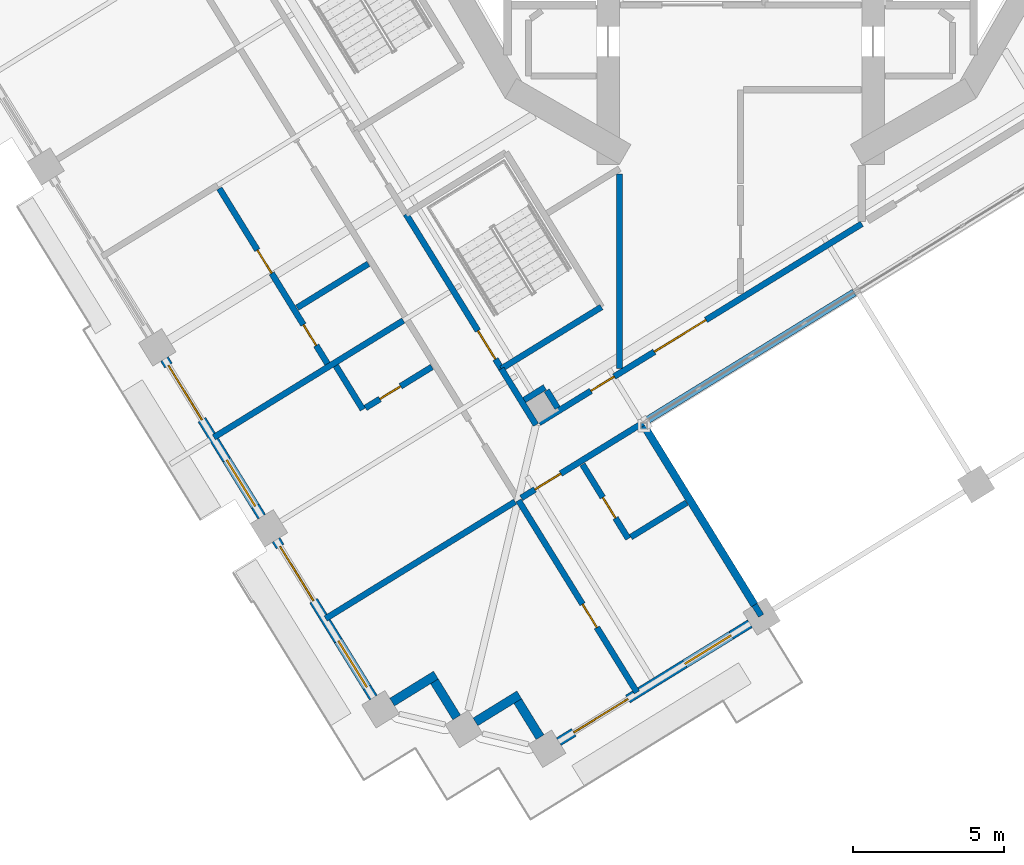
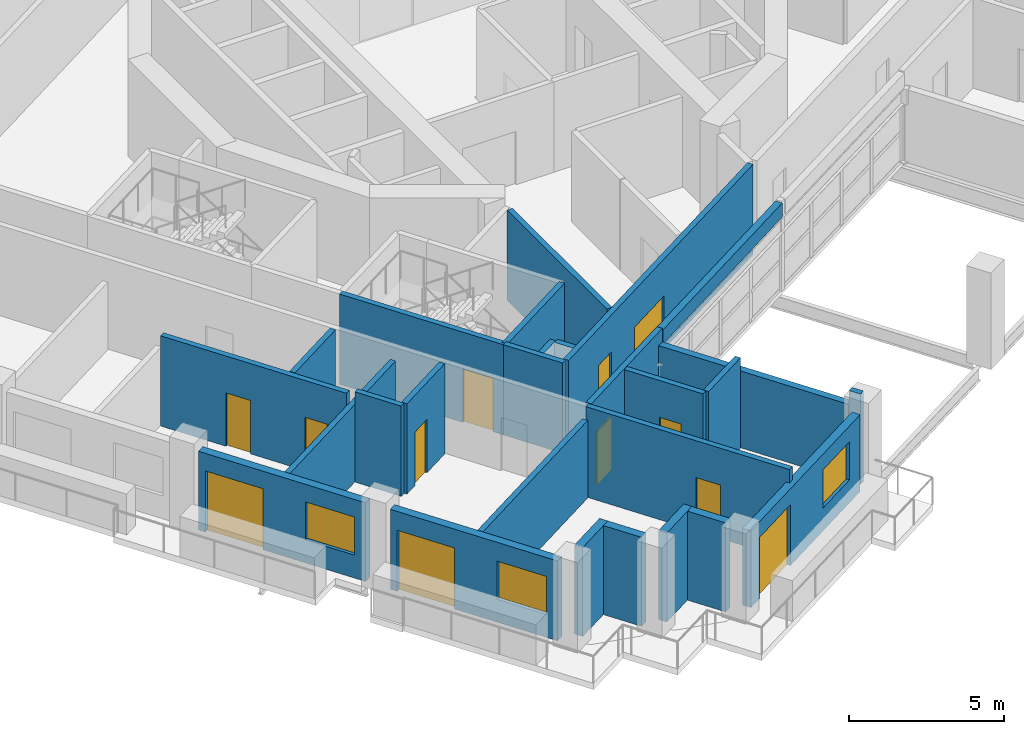
# One storey, part 8 of 22: 27 walls, 12 doors, 3 windows, 15 openings.
"""IFC4 building model written with IfcOpenShell, lengths in metres."""

from ifc_helpers import new_model, si_unit, direction, frame, frame_2d, origin, place, context, subcontext, project, spatial, rectangle, extrude, material, layer, layer_set, type_object, element, fill, save


model = new_model("IFC4")

# Units and contexts
model_context = context("Model", 3, precision=1e-05, world=origin(), true_north=direction((0.0, 1.0)))
body_context = subcontext(model_context, "Body", "Model", "MODEL_VIEW")
ifc_project = project(units=[si_unit("LENGTHUNIT", "METRE"), si_unit("AREAUNIT", "SQUARE_METRE"), si_unit("VOLUMEUNIT", "CUBIC_METRE"), si_unit("PLANEANGLEUNIT", "RADIAN"), si_unit("MASSUNIT", "GRAM", prefix="KILO")], contexts=[model_context])

# Site, building, storey
site_placement = place(None, origin())
site = spatial("IfcSite", under=ifc_project, at=site_placement, CompositionType="ELEMENT")
building_placement = place(site_placement, origin())
building = spatial("IfcBuilding", under=site, at=building_placement, Name="Cantera Rosa Tower", CompositionType="ELEMENT")
storey_placement = place(building_placement, frame((0.0, 0.0, 174.199951171875)))
storey = spatial("IfcBuildingStorey", under=building, at=storey_placement, Name="L38", CompositionType="ELEMENT", Elevation=174.199951171875)

# Wall
ifc_material_1 = material(Name="Gypsum board partition")
ifc_layer_1 = layer(ifc_material_1, 0.199951171875)
ifc_layer_set_1 = layer_set([ifc_layer_1], Name="CORRIDOR WALL 200 H3550")
wall_type_1 = type_object("IfcWallType", Name="CORRIDOR WALL 200 H3550", PredefinedType="PARTITIONING", material=ifc_layer_set_1)
wall_1_placement = place(storey_placement, frame((-7.9033203125, -16.7119140625, 0.0), z_axis=(0.0, 0.0, 1.0), x_axis=(0.525036414636, -0.851079763187, 0.0)))
element("IfcWall", 1, at=wall_1_placement, inside=storey, type_object=wall_type_1, Name="CORRIDOR WALL L38-026", PredefinedType="PARTITIONING", context=body_context, shape_type="SweptSolid", body=[
    extrude(rectangle(XDim=2.17529296875, YDim=0.199951171875, at=frame_2d((1.087646484375, 0.0))), origin(), (0.0, 0.0, 1.0), 3.550048828125),
])

# Wall, opening, door
wall_2_placement = place(storey_placement, frame((-7.246337890625, -20.977294921875, 0.0), z_axis=(0.0, 0.0, 1.0), x_axis=(0.851124523941, 0.524963850894, 0.0)))
wall_2 = element("IfcWall", 2, at=wall_2_placement, inside=storey, type_object=wall_type_1, Name="CORRIDOR WALL L38-035", PredefinedType="PARTITIONING", context=body_context, shape_type="SweptSolid", body=[
    extrude(rectangle(XDim=4.824951171875, YDim=0.199951171875, at=frame_2d((2.41259765625, 0.0))), origin(), (0.0, 0.0, 1.0), 3.550048828125),
])
opening_1_placement = place(wall_2_placement, frame((0.530029296875, 0.0, 0.0)))
opening_1 = element("IfcOpeningElement", 3, at=opening_1_placement, cuts=wall_2, Name="Opening L38-052", PredefinedType="OPENING", context=body_context, shape_type="SweptSolid", body=[
    extrude(rectangle(XDim=1.0, YDim=2.10009765625, at=frame_2d((0.5, 1.050048828125))), frame((0.0, 0.10986328125, 0.0), z_axis=(0.0, -1.0, 0.0), x_axis=(1.0, 0.0, 0.0)), (0.0, 0.0, 1.0), 0.219970703125),
])
ifc_material_2 = material(Name="Timber door leaf", Category="wood")
door_type_1 = type_object("IfcDoorType", Name="ENTRANCE DOOR 1000x2100", OperationType="NOTDEFINED", PredefinedType="DOOR", material=ifc_material_2)
door_1_placement = place(opening_1_placement, origin())
door_1 = element("IfcDoor", 4, at=door_1_placement, inside=storey, type_object=door_type_1, Name="DOOR L38-052", OperationType="NOTDEFINED", OverallHeight=2.10009765625, OverallWidth=1.0, PredefinedType="DOOR", context=body_context, shape_type="SweptSolid", body=[
    extrude(rectangle(XDim=1.0, YDim=2.10009765625, at=frame_2d((0.5, 1.050048828125))), frame((0.0, 0.02490234375, 0.0), z_axis=(0.0, -1.0, 0.0), x_axis=(1.0, 0.0, 0.0)), (0.0, 0.0, 1.0), 0.050048828125),
])
fill(opening_1, door_1)

# Wall, openings, doors
wall_3_placement = place(storey_placement, frame((-6.6591796875, -18.500244140625, 0.0), z_axis=(0.0, 0.0, 1.0), x_axis=(0.851115705413, 0.524978148116, 0.0)))
wall_3 = element("IfcWall", 5, at=wall_3_placement, inside=storey, type_object=wall_type_1, Name="CORRIDOR WALL L38-042", PredefinedType="PARTITIONING", context=body_context, shape_type="SweptSolid", body=[
    extrude(rectangle(XDim=12.523681640625, YDim=0.199951171875, at=frame_2d((6.26171875, 0.0))), origin(), (0.0, 0.0, 1.0), 3.550048828125),
])
opening_2_placement = place(wall_3_placement, frame((2.01513671875, 0.0, 0.0)))
opening_2 = element("IfcOpeningElement", 6, at=opening_2_placement, cuts=wall_3, Name="Opening L38-008", PredefinedType="OPENING", context=body_context, shape_type="SweptSolid", body=[
    extrude(rectangle(XDim=0.89990234375, YDim=2.10009765625, at=frame_2d((0.449951171875, 1.050048828125))), frame((0.0, 0.10986328125, 0.0), z_axis=(0.0, -1.0, 0.0), x_axis=(1.0, 0.0, 0.0)), (0.0, 0.0, 1.0), 0.219970703125),
])
opening_3_placement = place(wall_3_placement, frame((4.47412109375, 0.0, 0.0)))
opening_3 = element("IfcOpeningElement", 7, at=opening_3_placement, cuts=wall_3, Name="Opening L38-013", PredefinedType="OPENING", context=body_context, shape_type="SweptSolid", body=[
    extrude(rectangle(XDim=2.0, YDim=2.10009765625, at=frame_2d((1.0, 1.050048828125))), frame((0.0, 0.10986328125, 0.0), z_axis=(0.0, -1.0, 0.0), x_axis=(1.0, 0.0, 0.0)), (0.0, 0.0, 1.0), 0.219970703125),
])
ifc_material_3 = material(Name="Steel S355J2 (EN 10025-2)", Category="steel")
door_type_2 = type_object("IfcDoorType", Name="LOBBY SCREEN DOOR 2000x2100", OperationType="NOTDEFINED", PredefinedType="DOOR", material=ifc_material_3)
door_2_placement = place(opening_3_placement, origin())
door_2 = element("IfcDoor", 8, at=door_2_placement, inside=storey, type_object=door_type_2, Name="DOOR L38-013", OperationType="NOTDEFINED", OverallHeight=2.10009765625, OverallWidth=2.0, PredefinedType="DOOR", context=body_context, shape_type="SweptSolid", body=[
    extrude(rectangle(XDim=2.0, YDim=2.10009765625, at=frame_2d((1.0, 1.050048828125))), frame((0.0, 0.02490234375, 0.0), z_axis=(0.0, -1.0, 0.0), x_axis=(1.0, 0.0, 0.0)), (0.0, 0.0, 1.0), 0.050048828125),
])
fill(opening_3, door_2)
ifc_material_4 = material(Name="Timber door leaf", Category="wood")
door_type_3 = type_object("IfcDoorType", Name="SERVICE DOOR 900x2100", OperationType="NOTDEFINED", PredefinedType="DOOR", material=ifc_material_4)
door_3_placement = place(opening_2_placement, origin())
door_3 = element("IfcDoor", 9, at=door_3_placement, inside=storey, type_object=door_type_3, Name="DOOR L38-008", OperationType="NOTDEFINED", OverallHeight=2.10009765625, OverallWidth=0.89990234375, PredefinedType="DOOR", context=body_context, shape_type="SweptSolid", body=[
    extrude(rectangle(XDim=0.89990234375, YDim=2.10009765625, at=frame_2d((0.449951171875, 1.050048828125))), frame((0.0, 0.02490234375, 0.0), z_axis=(0.0, -1.0, 0.0), x_axis=(1.0, 0.0, 0.0)), (0.0, 0.0, 1.0), 0.050048828125),
])
fill(opening_2, door_3)

# Walls
wall_4_placement = place(storey_placement, frame((-4.0, -10.274169921875, 0.0), z_axis=(0.0, 0.0, 1.0), x_axis=(0.0, -1.0, 0.0)))
element("IfcWall", 10, at=wall_4_placement, inside=storey, type_object=wall_type_1, Name="CORRIDOR WALL L38-053", PredefinedType="PARTITIONING", context=body_context, shape_type="SweptSolid", body=[
    extrude(rectangle(XDim=6.426025390625, YDim=0.199951171875, at=frame_2d((3.212890625, 0.0))), origin(), (0.0, 0.0, 1.0), 3.550048828125),
])
ifc_material_5 = material(Name="Hollow clay masonry with cantera stone cladding", Category="masonry")
ifc_layer_2 = layer(ifc_material_5, 0.300048828125)
ifc_layer_set_2 = layer_set([ifc_layer_2], Name="EW-LOGGIA 300")
wall_type_2 = type_object("IfcWallType", Name="EW-LOGGIA 300", PredefinedType="SOLIDWALL", material=ifc_layer_set_2)
wall_5_placement = place(storey_placement, frame((-11.51123046875, -27.72021484375, 0.0), z_axis=(0.0, 0.0, 1.0), x_axis=(0.851130227454, 0.524954603669, 0.0)))
element("IfcWall", 11, at=wall_5_placement, inside=storey, type_object=wall_type_2, Name="EN-L38-W20a", PredefinedType="SOLIDWALL", context=body_context, shape_type="SweptSolid", body=[
    extrude(rectangle(XDim=1.699951171875, YDim=0.300048828125, at=frame_2d((0.85009765625, 0.0))), origin(), (0.0, 0.0, 1.0), 3.5),
])
wall_6_placement = place(storey_placement, frame((-10.11328125, -27.0341796875, 0.0), z_axis=(0.0, 0.0, 1.0), x_axis=(0.524895019961, -0.85116697423, 0.0)))
element("IfcWall", 12, at=wall_6_placement, inside=storey, type_object=wall_type_2, Name="EN-L38-W20b", PredefinedType="SOLIDWALL", context=body_context, shape_type="SweptSolid", body=[
    extrude(rectangle(XDim=1.39990234375, YDim=0.300048828125, at=frame_2d((0.699951171875, 0.0))), origin(), (0.0, 0.0, 1.0), 3.5),
])
wall_7_placement = place(storey_placement, frame((-8.75927734375, -28.37255859375, 0.0), z_axis=(0.0, 0.0, 1.0), x_axis=(0.851105638601, 0.524994468487, 0.0)))
element("IfcWall", 13, at=wall_7_placement, inside=storey, type_object=wall_type_2, Name="EN-L38-W21a", PredefinedType="SOLIDWALL", context=body_context, shape_type="SweptSolid", body=[
    extrude(rectangle(XDim=1.7001953125, YDim=0.300048828125, at=frame_2d((0.85009765625, 0.0))), origin(), (0.0, 0.0, 1.0), 3.5),
])
wall_8_placement = place(storey_placement, frame((-7.361083984375, -27.6865234375, 0.0), z_axis=(0.0, 0.0, 1.0), x_axis=(0.524895019961, -0.85116697423, 0.0)))
element("IfcWall", 14, at=wall_8_placement, inside=storey, type_object=wall_type_2, Name="EN-L38-W21b", PredefinedType="SOLIDWALL", context=body_context, shape_type="SweptSolid", body=[
    extrude(rectangle(XDim=1.39990234375, YDim=0.300048828125, at=frame_2d((0.699951171875, 0.0))), origin(), (0.0, 0.0, 1.0), 3.5),
])

# Wall, openings, window, door
ifc_material_6 = material(Name="Hollow clay masonry with cantera stone cladding", Category="masonry")
ifc_layer_3 = layer(ifc_material_6, 0.300048828125)
ifc_layer_set_3 = layer_set([ifc_layer_3], Name="EW-LOGGIA 300 H3020")
wall_type_3 = type_object("IfcWallType", Name="EW-LOGGIA 300 H3020", PredefinedType="SOLIDWALL", material=ifc_layer_set_3)
wall_9_placement = place(storey_placement, frame((-6.007080078125, -29.02490234375, 0.0), z_axis=(0.0, 0.0, 1.0), x_axis=(0.851111085575, 0.524985637909, 0.0)))
wall_9 = element("IfcWall", 15, at=wall_9_placement, inside=storey, type_object=wall_type_3, Name="EN-L38-W22", PredefinedType="SOLIDWALL", context=body_context, shape_type="SweptSolid", body=[
    extrude(rectangle(XDim=7.420166015625, YDim=0.300048828125, at=frame_2d((3.7099609375, 0.0))), origin(), (0.0, 0.0, 1.0), 3.02001953125),
])
opening_4_placement = place(wall_9_placement, frame((0.580078125, 0.0, 0.0)))
opening_4 = element("IfcOpeningElement", 16, at=opening_4_placement, cuts=wall_9, Name="Opening L38-TD31", PredefinedType="OPENING", context=body_context, shape_type="SweptSolid", body=[
    extrude(rectangle(XDim=2.10009765625, YDim=2.39990234375, at=frame_2d((1.050048828125, 1.199951171875))), frame((0.0, 0.159912109375, 0.0), z_axis=(0.0, -1.0, 0.0), x_axis=(1.0, 0.0, 0.0)), (0.0, 0.0, 1.0), 0.320068359375),
])
opening_5_placement = place(wall_9_placement, frame((4.889892578125, 0.0, 0.89990234375)))
opening_5 = element("IfcOpeningElement", 17, at=opening_5_placement, cuts=wall_9, Name="Opening L38-W32", PredefinedType="OPENING", context=body_context, shape_type="SweptSolid", body=[
    extrude(rectangle(XDim=1.800048828125, YDim=1.5, at=frame_2d((0.89990234375, 0.75))), frame((0.0, 0.159912109375, 0.0), z_axis=(0.0, -1.0, 0.0), x_axis=(1.0, 0.0, 0.0)), (0.0, 0.0, 1.0), 0.320068359375),
])
ifc_material_7 = material(Name="Aluminium frame with clear glass", Category="aluminium")
window_type = type_object("IfcWindowType", Name="Hotel room window 1800x1500", PartitioningType="DOUBLE_PANEL_VERTICAL", PredefinedType="WINDOW", material=ifc_material_7)
window_1_placement = place(opening_5_placement, origin())
window_1 = element("IfcWindow", 18, at=window_1_placement, inside=storey, type_object=window_type, Name="WINDOW L38-W32", OverallHeight=1.5, OverallWidth=1.800048828125, PartitioningType="SINGLE_PANEL", PredefinedType="WINDOW", context=body_context, shape_type="SweptSolid", body=[
    extrude(rectangle(XDim=1.800048828125, YDim=1.5, at=frame_2d((0.89990234375, 0.75))), frame((0.0, 0.030029296875, 0.0), z_axis=(0.0, -1.0, 0.0), x_axis=(1.0, 0.0, 0.0)), (0.0, 0.0, 1.0), 0.06005859375),
])
fill(opening_5, window_1)
ifc_material_8 = material(Name="Aluminium frame with clear glass", Category="aluminium")
door_type_4 = type_object("IfcDoorType", Name="TD-H 2100x2400", OperationType="NOTDEFINED", PredefinedType="DOOR", material=ifc_material_8)
door_4_placement = place(opening_4_placement, origin())
door_4 = element("IfcDoor", 19, at=door_4_placement, inside=storey, type_object=door_type_4, Name="LOGGIA DOOR L38-TD31", OperationType="SLIDING_TO_LEFT", OverallHeight=2.39990234375, OverallWidth=2.10009765625, PredefinedType="DOOR", context=body_context, shape_type="SweptSolid", body=[
    extrude(rectangle(XDim=2.10009765625, YDim=2.39990234375, at=frame_2d((1.050048828125, 1.199951171875))), frame((0.0, 0.02490234375, 0.0), z_axis=(0.0, -1.0, 0.0), x_axis=(1.0, 0.0, 0.0)), (0.0, 0.0, 1.0), 0.050048828125),
])
fill(opening_4, door_4)

ifc_material_9 = material(Name="Hollow clay masonry with cantera stone cladding", Category="masonry")
ifc_layer_4 = layer(ifc_material_9, 0.300048828125)
ifc_layer_set_4 = layer_set([ifc_layer_4], Name="EW-LOGGIA 300 H3090")
wall_type_4 = type_object("IfcWallType", Name="EW-LOGGIA 300 H3090", PredefinedType="SOLIDWALL", material=ifc_layer_set_4)
wall_10_placement = place(storey_placement, frame((-19.02880859375, -16.389892578125, 0.0), z_axis=(0.0, 0.0, 1.0), x_axis=(0.524987447654, -0.851109969279, 0.0)))
wall_10 = element("IfcWall", 20, at=wall_10_placement, inside=storey, type_object=wall_type_4, Name="EN-L38-W18", PredefinedType="SOLIDWALL", context=body_context, shape_type="SweptSolid", body=[
    extrude(rectangle(XDim=6.119873046875, YDim=0.300048828125, at=frame_2d((3.06005859375, 0.0))), origin(), (0.0, 0.0, 1.0), 3.090087890625),
])
opening_6_placement = place(wall_10_placement, frame((0.2548828125, 0.0, 0.0)))
opening_6 = element("IfcOpeningElement", 21, at=opening_6_placement, cuts=wall_10, Name="Opening L38-TD27", PredefinedType="OPENING", context=body_context, shape_type="SweptSolid", body=[
    extrude(rectangle(XDim=2.10009765625, YDim=2.39990234375, at=frame_2d((1.050048828125, 1.199951171875))), frame((0.0, 0.159912109375, 0.0), z_axis=(0.0, -1.0, 0.0), x_axis=(1.0, 0.0, 0.0)), (0.0, 0.0, 1.0), 0.320068359375),
])
opening_7_placement = place(wall_10_placement, frame((3.9150390625, 0.0, 0.89990234375)))
opening_7 = element("IfcOpeningElement", 22, at=opening_7_placement, cuts=wall_10, Name="Opening L38-W28", PredefinedType="OPENING", context=body_context, shape_type="SweptSolid", body=[
    extrude(rectangle(XDim=1.800048828125, YDim=1.5, at=frame_2d((0.89990234375, 0.75))), frame((0.0, 0.159912109375, 0.0), z_axis=(0.0, -1.0, 0.0), x_axis=(1.0, 0.0, 0.0)), (0.0, 0.0, 1.0), 0.320068359375),
])
window_2_placement = place(opening_7_placement, origin())
window_2 = element("IfcWindow", 23, at=window_2_placement, inside=storey, type_object=window_type, Name="WINDOW L38-W28", OverallHeight=1.5, OverallWidth=1.800048828125, PartitioningType="SINGLE_PANEL", PredefinedType="WINDOW", context=body_context, shape_type="SweptSolid", body=[
    extrude(rectangle(XDim=1.800048828125, YDim=1.5, at=frame_2d((0.89990234375, 0.75))), frame((0.0, 0.030029296875, 0.0), z_axis=(0.0, -1.0, 0.0), x_axis=(1.0, 0.0, 0.0)), (0.0, 0.0, 1.0), 0.06005859375),
])
fill(opening_7, window_2)
door_5_placement = place(opening_6_placement, origin())
door_5 = element("IfcDoor", 24, at=door_5_placement, inside=storey, type_object=door_type_4, Name="LOGGIA DOOR L38-TD27", OperationType="SLIDING_TO_LEFT", OverallHeight=2.39990234375, OverallWidth=2.10009765625, PredefinedType="DOOR", context=body_context, shape_type="SweptSolid", body=[
    extrude(rectangle(XDim=2.10009765625, YDim=2.39990234375, at=frame_2d((1.050048828125, 1.199951171875))), frame((0.0, 0.02490234375, 0.0), z_axis=(0.0, -1.0, 0.0), x_axis=(1.0, 0.0, 0.0)), (0.0, 0.0, 1.0), 0.050048828125),
])
fill(opening_6, door_5)

ifc_material_10 = material(Name="Hollow clay masonry with cantera stone cladding", Category="masonry")
ifc_layer_5 = layer(ifc_material_10, 0.300048828125)
ifc_layer_set_5 = layer_set([ifc_layer_5], Name="EW-LOGGIA 300 H3140")
wall_type_5 = type_object("IfcWallType", Name="EW-LOGGIA 300 H3140", PredefinedType="SOLIDWALL", material=ifc_layer_set_5)
wall_11_placement = place(storey_placement, frame((-15.343505859375, -22.36474609375, 0.0), z_axis=(0.0, 0.0, 1.0), x_axis=(0.524987447654, -0.851109969279, 0.0)))
wall_11 = element("IfcWall", 25, at=wall_11_placement, inside=storey, type_object=wall_type_5, Name="EN-L38-W19", PredefinedType="SOLIDWALL", context=body_context, shape_type="SweptSolid", body=[
    extrude(rectangle(XDim=6.119873046875, YDim=0.300048828125, at=frame_2d((3.06005859375, 0.0))), origin(), (0.0, 0.0, 1.0), 3.14013671875),
])
opening_8_placement = place(wall_11_placement, frame((0.2548828125, 0.0, 0.0)))
opening_8 = element("IfcOpeningElement", 26, at=opening_8_placement, cuts=wall_11, Name="Opening L38-TD29", PredefinedType="OPENING", context=body_context, shape_type="SweptSolid", body=[
    extrude(rectangle(XDim=2.10009765625, YDim=2.39990234375, at=frame_2d((1.050048828125, 1.199951171875))), frame((0.0, 0.159912109375, 0.0), z_axis=(0.0, -1.0, 0.0), x_axis=(1.0, 0.0, 0.0)), (0.0, 0.0, 1.0), 0.320068359375),
])
opening_9_placement = place(wall_11_placement, frame((3.9150390625, 0.0, 0.89990234375)))
opening_9 = element("IfcOpeningElement", 27, at=opening_9_placement, cuts=wall_11, Name="Opening L38-W30", PredefinedType="OPENING", context=body_context, shape_type="SweptSolid", body=[
    extrude(rectangle(XDim=1.800048828125, YDim=1.5, at=frame_2d((0.89990234375, 0.75))), frame((0.0, 0.159912109375, 0.0), z_axis=(0.0, -1.0, 0.0), x_axis=(1.0, 0.0, 0.0)), (0.0, 0.0, 1.0), 0.320068359375),
])
window_3_placement = place(opening_9_placement, origin())
window_3 = element("IfcWindow", 28, at=window_3_placement, inside=storey, type_object=window_type, Name="WINDOW L38-W30", OverallHeight=1.5, OverallWidth=1.800048828125, PartitioningType="SINGLE_PANEL", PredefinedType="WINDOW", context=body_context, shape_type="SweptSolid", body=[
    extrude(rectangle(XDim=1.800048828125, YDim=1.5, at=frame_2d((0.89990234375, 0.75))), frame((0.0, 0.030029296875, 0.0), z_axis=(0.0, -1.0, 0.0), x_axis=(1.0, 0.0, 0.0)), (0.0, 0.0, 1.0), 0.06005859375),
])
fill(opening_9, window_3)
door_6_placement = place(opening_8_placement, origin())
door_6 = element("IfcDoor", 29, at=door_6_placement, inside=storey, type_object=door_type_4, Name="LOGGIA DOOR L38-TD29", OperationType="SLIDING_TO_LEFT", OverallHeight=2.39990234375, OverallWidth=2.10009765625, PredefinedType="DOOR", context=body_context, shape_type="SweptSolid", body=[
    extrude(rectangle(XDim=2.10009765625, YDim=2.39990234375, at=frame_2d((1.050048828125, 1.199951171875))), frame((0.0, 0.02490234375, 0.0), z_axis=(0.0, -1.0, 0.0), x_axis=(1.0, 0.0, 0.0)), (0.0, 0.0, 1.0), 0.050048828125),
])
fill(opening_8, door_6)

# Walls
ifc_material_11 = material(Name="Concrete C40/50", Category="concrete")
ifc_layer_6 = layer(ifc_material_11, 0.25)
ifc_layer_set_6 = layer_set([ifc_layer_6], Name="EW-POCKET CHEEK 250 H3020")
wall_type_6 = type_object("IfcWallType", Name="EW-POCKET CHEEK 250 H3020", PredefinedType="SOLIDWALL", material=ifc_layer_set_6)
wall_12_placement = place(storey_placement, frame((0.455078125, -24.51025390625, 0.0), z_axis=(0.0, 0.0, 1.0), x_axis=(-0.524984984735, 0.851111488468, 0.0)))
element("IfcWall", 30, at=wall_12_placement, inside=storey, type_object=wall_type_6, Name="POCKET CHEEK A L38", PredefinedType="SOLIDWALL", context=body_context, shape_type="SweptSolid", body=[
    extrude(rectangle(XDim=6.949951171875, YDim=0.25, at=frame_2d((3.47509765625, 0.0))), origin(), (0.0, 0.0, 1.0), 3.02001953125),
])
ifc_material_12 = material(Name="Hollow clay masonry with cantera stone cladding", Category="masonry")
ifc_layer_7 = layer(ifc_material_12, 0.25)
ifc_layer_set_7 = layer_set([ifc_layer_7], Name="EW-POCKET REAR 250")
wall_type_7 = type_object("IfcWallType", Name="EW-POCKET REAR 250", PredefinedType="SOLIDWALL", material=ifc_layer_set_7)
wall_13_placement = place(storey_placement, frame((-3.1396484375, -18.4443359375, 2.942138671875), z_axis=(0.0, 0.0, 1.0), x_axis=(0.851105713659, 0.524994346805, 0.0)))
element("IfcWall", 31, at=wall_13_placement, inside=storey, type_object=wall_type_7, Name="POCKET SPANDREL L38-1", PredefinedType="SOLIDWALL", context=body_context, shape_type="SweptSolid", body=[
    extrude(rectangle(XDim=8.092041015625, YDim=0.25, at=frame_2d((4.0458984375, 0.0))), origin(), (0.0, 0.0, 1.0), 0.557861328125),
])

# Wall, openings, doors
ifc_material_13 = material(Name="Gypsum board partition")
ifc_layer_8 = layer(ifc_material_13, 0.199951171875)
ifc_layer_set_8 = layer_set([ifc_layer_8], Name="PARTITION 200 H3550")
wall_type_8 = type_object("IfcWallType", Name="PARTITION 200 H3550", PredefinedType="PARTITIONING", material=ifc_layer_set_8)
wall_14_placement = place(storey_placement, frame((-17.214599609375, -10.75927734375, 0.0), z_axis=(0.0, 0.0, 1.0), x_axis=(0.524974538192, -0.851117932046, 0.0)))
wall_14 = element("IfcWall", 32, at=wall_14_placement, inside=storey, type_object=wall_type_8, Name="PARTITION L38-011", PredefinedType="PARTITIONING", context=body_context, shape_type="SweptSolid", body=[
    extrude(rectangle(XDim=6.800048828125, YDim=0.199951171875, at=frame_2d((3.39990234375, 0.0))), origin(), (0.0, 0.0, 1.0), 3.550048828125),
])
opening_10_placement = place(wall_14_placement, frame((2.389892578125, 0.0, 0.0)))
opening_10 = element("IfcOpeningElement", 33, at=opening_10_placement, cuts=wall_14, Name="Opening L38-045", PredefinedType="OPENING", context=body_context, shape_type="SweptSolid", body=[
    extrude(rectangle(XDim=0.89990234375, YDim=2.10009765625, at=frame_2d((0.449951171875, 1.050048828125))), frame((0.0, 0.10986328125, 0.0), z_axis=(0.0, -1.0, 0.0), x_axis=(1.0, 0.0, 0.0)), (0.0, 0.0, 1.0), 0.219970703125),
])
opening_11_placement = place(wall_14_placement, frame((5.2900390625, 0.0, 0.0)))
opening_11 = element("IfcOpeningElement", 34, at=opening_11_placement, cuts=wall_14, Name="Opening L38-046", PredefinedType="OPENING", context=body_context, shape_type="SweptSolid", body=[
    extrude(rectangle(XDim=0.800048828125, YDim=2.10009765625, at=frame_2d((0.39990234375, 1.050048828125))), frame((0.0, 0.10986328125, 0.0), z_axis=(0.0, -1.0, 0.0), x_axis=(1.0, 0.0, 0.0)), (0.0, 0.0, 1.0), 0.219970703125),
])
ifc_material_14 = material(Name="Timber door leaf", Category="wood")
door_type_5 = type_object("IfcDoorType", Name="BATHROOM DOOR 800x2100", OperationType="NOTDEFINED", PredefinedType="DOOR", material=ifc_material_14)
door_7_placement = place(opening_11_placement, origin())
door_7 = element("IfcDoor", 35, at=door_7_placement, inside=storey, type_object=door_type_5, Name="DOOR L38-046", OperationType="NOTDEFINED", OverallHeight=2.10009765625, OverallWidth=0.800048828125, PredefinedType="DOOR", context=body_context, shape_type="SweptSolid", body=[
    extrude(rectangle(XDim=0.800048828125, YDim=2.10009765625, at=frame_2d((0.39990234375, 1.050048828125))), frame((0.0, 0.02490234375, 0.0), z_axis=(0.0, -1.0, 0.0), x_axis=(1.0, 0.0, 0.0)), (0.0, 0.0, 1.0), 0.050048828125),
])
fill(opening_11, door_7)
ifc_material_15 = material(Name="Timber door leaf", Category="wood")
door_type_6 = type_object("IfcDoorType", Name="ROOM DOOR 900x2100", OperationType="NOTDEFINED", PredefinedType="DOOR", material=ifc_material_15)
door_8_placement = place(opening_10_placement, origin())
door_8 = element("IfcDoor", 36, at=door_8_placement, inside=storey, type_object=door_type_6, Name="DOOR L38-045", OperationType="NOTDEFINED", OverallHeight=2.10009765625, OverallWidth=0.89990234375, PredefinedType="DOOR", context=body_context, shape_type="SweptSolid", body=[
    extrude(rectangle(XDim=0.89990234375, YDim=2.10009765625, at=frame_2d((0.449951171875, 1.050048828125))), frame((0.0, 0.02490234375, 0.0), z_axis=(0.0, -1.0, 0.0), x_axis=(1.0, 0.0, 0.0)), (0.0, 0.0, 1.0), 0.050048828125),
])
fill(opening_10, door_8)

# Walls
wall_15_placement = place(storey_placement, frame((-14.64501953125, -14.6962890625, 0.0), z_axis=(0.0, 0.0, 1.0), x_axis=(0.851129367012, 0.524955998737, 0.0)))
element("IfcWall", 37, at=wall_15_placement, inside=storey, type_object=wall_type_8, Name="PARTITION L38-014", PredefinedType="PARTITIONING", context=body_context, shape_type="SweptSolid", body=[
    extrude(rectangle(XDim=2.759765625, YDim=0.199951171875, at=frame_2d((1.3798828125, 0.0))), origin(), (0.0, 0.0, 1.0), 3.550048828125),
])
wall_16_placement = place(storey_placement, frame((-12.477294921875, -18.058837890625, 0.0), z_axis=(0.0, 0.0, 1.0), x_axis=(-0.524954603669, 0.851130227454, 0.0)))
element("IfcWall", 38, at=wall_16_placement, inside=storey, type_object=wall_type_8, Name="PARTITION L38-018", PredefinedType="PARTITIONING", context=body_context, shape_type="SweptSolid", body=[
    extrude(rectangle(XDim=1.699951171875, YDim=0.199951171875, at=frame_2d((0.85009765625, 0.0))), origin(), (0.0, 0.0, 1.0), 3.550048828125),
])

# Wall, opening, door
wall_17_placement = place(storey_placement, frame((-10.1962890625, -16.65185546875, 0.0), z_axis=(0.0, 0.0, 1.0), x_axis=(-0.851098989685, -0.525005247362, 0.0)))
wall_17 = element("IfcWall", 39, at=wall_17_placement, inside=storey, type_object=wall_type_8, Name="PARTITION L38-024", PredefinedType="PARTITIONING", context=body_context, shape_type="SweptSolid", body=[
    extrude(rectangle(XDim=2.580078125, YDim=0.199951171875, at=frame_2d((1.2900390625, 0.0))), origin(), (0.0, 0.0, 1.0), 3.550048828125),
])
opening_12_placement = place(wall_17_placement, frame((1.216064453125, 0.0, 0.0)))
opening_12 = element("IfcOpeningElement", 40, at=opening_12_placement, cuts=wall_17, Name="Opening L38-048", PredefinedType="OPENING", context=body_context, shape_type="SweptSolid", body=[
    extrude(rectangle(XDim=0.800048828125, YDim=2.10009765625, at=frame_2d((0.39990234375, 1.050048828125))), frame((0.0, 0.10986328125, 0.0), z_axis=(0.0, -1.0, 0.0), x_axis=(1.0, 0.0, 0.0)), (0.0, 0.0, 1.0), 0.219970703125),
])
door_9_placement = place(opening_12_placement, origin())
door_9 = element("IfcDoor", 41, at=door_9_placement, inside=storey, type_object=door_type_5, Name="DOOR L38-048", OperationType="NOTDEFINED", OverallHeight=2.10009765625, OverallWidth=0.800048828125, PredefinedType="DOOR", context=body_context, shape_type="SweptSolid", body=[
    extrude(rectangle(XDim=0.800048828125, YDim=2.10009765625, at=frame_2d((0.39990234375, 1.050048828125))), frame((0.0, 0.02490234375, 0.0), z_axis=(0.0, -1.0, 0.0), x_axis=(1.0, 0.0, 0.0)), (0.0, 0.0, 1.0), 0.050048828125),
])
fill(opening_12, door_9)

wall_18_placement = place(storey_placement, frame((-7.337890625, -21.057373046875, 0.0), z_axis=(0.0, 0.0, 1.0), x_axis=(0.524982084645, -0.851113277303, 0.0)))
wall_18 = element("IfcWall", 42, at=wall_18_placement, inside=storey, type_object=wall_type_8, Name="PARTITION L38-034", PredefinedType="PARTITIONING", context=body_context, shape_type="SweptSolid", body=[
    extrude(rectangle(XDim=7.449951171875, YDim=0.199951171875, at=frame_2d((3.72509765625, 0.0))), origin(), (0.0, 0.0, 1.0), 3.550048828125),
])
opening_13_placement = place(wall_18_placement, frame((4.030029296875, 0.0, 0.0)))
opening_13 = element("IfcOpeningElement", 43, at=opening_13_placement, cuts=wall_18, Name="Opening L38-054", PredefinedType="OPENING", context=body_context, shape_type="SweptSolid", body=[
    extrude(rectangle(XDim=0.89990234375, YDim=2.10009765625, at=frame_2d((0.449951171875, 1.050048828125))), frame((0.0, 0.10986328125, 0.0), z_axis=(0.0, -1.0, 0.0), x_axis=(1.0, 0.0, 0.0)), (0.0, 0.0, 1.0), 0.219970703125),
])
door_10_placement = place(opening_13_placement, origin())
door_10 = element("IfcDoor", 44, at=door_10_placement, inside=storey, type_object=door_type_6, Name="DOOR L38-054", OperationType="NOTDEFINED", OverallHeight=2.10009765625, OverallWidth=0.89990234375, PredefinedType="DOOR", context=body_context, shape_type="SweptSolid", body=[
    extrude(rectangle(XDim=0.89990234375, YDim=2.10009765625, at=frame_2d((0.449951171875, 1.050048828125))), frame((0.0, 0.02490234375, 0.0), z_axis=(0.0, -1.0, 0.0), x_axis=(1.0, 0.0, 0.0)), (0.0, 0.0, 1.0), 0.050048828125),
])
fill(opening_13, door_10)

# Walls
wall_19_placement = place(storey_placement, frame((-6.4677734375, -17.32470703125, 0.0), z_axis=(0.0, 0.0, 1.0), x_axis=(-0.85101860469, -0.525135539144, 0.0)))
element("IfcWall", 45, at=wall_19_placement, inside=storey, type_object=wall_type_8, Name="PARTITION L38-043", PredefinedType="PARTITIONING", context=body_context, shape_type="SweptSolid", body=[
    extrude(rectangle(XDim=0.800048828125, YDim=0.199951171875, at=frame_2d((0.39990234375, 0.0))), origin(), (0.0, 0.0, 1.0), 3.550048828125),
])
wall_20_placement = place(storey_placement, frame((-6.0478515625, -18.005615234375, 0.0), z_axis=(0.0, 0.0, 1.0), x_axis=(-0.525018782991, 0.851090640006, 0.0)))
element("IfcWall", 46, at=wall_20_placement, inside=storey, type_object=wall_type_8, Name="PARTITION L38-045", PredefinedType="PARTITIONING", context=body_context, shape_type="SweptSolid", body=[
    extrude(rectangle(XDim=0.679931640625, YDim=0.199951171875, at=frame_2d((0.33984375, 0.0))), origin(), (0.0, 0.0, 1.0), 3.550048828125),
])

# Wall, opening, door
wall_21_placement = place(storey_placement, frame((-3.7138671875, -22.3232421875, 0.0), z_axis=(0.0, 0.0, 1.0), x_axis=(-0.524929648476, 0.851145618652, 0.0)))
wall_21 = element("IfcWall", 47, at=wall_21_placement, inside=storey, type_object=wall_type_8, Name="PARTITION L38-057", PredefinedType="PARTITIONING", context=body_context, shape_type="SweptSolid", body=[
    extrude(rectangle(XDim=2.8798828125, YDim=0.199951171875, at=frame_2d((1.43994140625, 0.0))), origin(), (0.0, 0.0, 1.0), 3.550048828125),
])
opening_14_placement = place(wall_21_placement, frame((0.800048828125, 0.0, 0.0)))
opening_14 = element("IfcOpeningElement", 48, at=opening_14_placement, cuts=wall_21, Name="Opening L38-053", PredefinedType="OPENING", context=body_context, shape_type="SweptSolid", body=[
    extrude(rectangle(XDim=0.800048828125, YDim=2.10009765625, at=frame_2d((0.39990234375, 1.050048828125))), frame((0.0, 0.10986328125, 0.0), z_axis=(0.0, -1.0, 0.0), x_axis=(1.0, 0.0, 0.0)), (0.0, 0.0, 1.0), 0.219970703125),
])
door_11_placement = place(opening_14_placement, origin())
door_11 = element("IfcDoor", 49, at=door_11_placement, inside=storey, type_object=door_type_5, Name="DOOR L38-053", OperationType="NOTDEFINED", OverallHeight=2.10009765625, OverallWidth=0.800048828125, PredefinedType="DOOR", context=body_context, shape_type="SweptSolid", body=[
    extrude(rectangle(XDim=0.800048828125, YDim=2.10009765625, at=frame_2d((0.39990234375, 1.050048828125))), frame((0.0, 0.02490234375, 0.0), z_axis=(0.0, -1.0, 0.0), x_axis=(1.0, 0.0, 0.0)), (0.0, 0.0, 1.0), 0.050048828125),
])
fill(opening_14, door_11)

# Walls
wall_22_placement = place(storey_placement, frame((0.455078125, -24.51025390625, 0.0), z_axis=(0.0, 0.0, 1.0), x_axis=(0.524972939322, -0.851118918236, 0.0)))
element("IfcWall", 50, at=wall_22_placement, inside=storey, type_object=wall_type_8, Name="PARTITION L38-058", PredefinedType="PARTITIONING", context=body_context, shape_type="SweptSolid", body=[
    extrude(rectangle(XDim=0.419921875, YDim=0.199951171875, at=frame_2d((0.2099609375, 0.0))), origin(), (0.0, 0.0, 1.0), 3.550048828125),
])
wall_23_placement = place(storey_placement, frame((-1.785888671875, -21.134033203125, 0.0), z_axis=(0.0, 0.0, 1.0), x_axis=(-0.851100334152, -0.525003067807, 0.0)))
element("IfcWall", 51, at=wall_23_placement, inside=storey, type_object=wall_type_8, Name="PARTITION L38-060", PredefinedType="PARTITIONING", context=body_context, shape_type="SweptSolid", body=[
    extrude(rectangle(XDim=2.165283203125, YDim=0.199951171875, at=frame_2d((1.08251953125, 0.0))), origin(), (0.0, 0.0, 1.0), 3.550048828125),
])
ifc_material_16 = material(Name="Gypsum board partition")
ifc_layer_9 = layer(ifc_material_16, 0.199951171875)
ifc_layer_set_9 = layer_set([ifc_layer_9], Name="PARTY WALL 200 H3050")
wall_type_9 = type_object("IfcWallType", Name="PARTY WALL 200 H3050", PredefinedType="PARTITIONING", material=ifc_layer_set_9)
wall_24_placement = place(storey_placement, frame((-13.706298828125, -24.9619140625, 0.0), z_axis=(0.0, 0.0, 1.0), x_axis=(0.851118431638, 0.524973728225, 0.0)))
element("IfcWall", 52, at=wall_24_placement, inside=storey, type_object=wall_type_9, Name="PARTY WALL L38-015", PredefinedType="PARTITIONING", context=body_context, shape_type="SweptSolid", body=[
    extrude(rectangle(XDim=7.35009765625, YDim=0.199951171875, at=frame_2d((3.675048828125, 0.0))), origin(), (0.0, 0.0, 1.0), 3.050048828125),
])
wall_25_placement = place(storey_placement, frame((-11.14111328125, -15.119873046875, 0.0), z_axis=(0.0, 0.0, 1.0), x_axis=(-0.851109277096, -0.52498856982, 0.0)))
element("IfcWall", 53, at=wall_25_placement, inside=storey, type_object=wall_type_9, Name="PARTY WALL L38-021", PredefinedType="PARTITIONING", context=body_context, shape_type="SweptSolid", body=[
    extrude(rectangle(XDim=7.349853515625, YDim=0.199951171875, at=frame_2d((3.6748046875, 0.0))), origin(), (0.0, 0.0, 1.0), 3.050048828125),
])

# Wall, opening, door
ifc_material_17 = material(Name="Concrete C50/60", Category="concrete")
ifc_layer_10 = layer(ifc_material_17, 0.199951171875)
ifc_layer_set_10 = layer_set([ifc_layer_10], Name="STAIR WALL 200 H3550")
wall_type_10 = type_object("IfcWallType", Name="STAIR WALL 200 H3550", PredefinedType="SOLIDWALL", material=ifc_layer_set_10)
wall_26_placement = place(storey_placement, frame((-11.05322265625, -11.605224609375, 0.0), z_axis=(0.0, 0.0, 1.0), x_axis=(0.524982543144, -0.851112994493, 0.0)))
wall_26 = element("IfcWall", 54, at=wall_26_placement, inside=storey, type_object=wall_type_10, Name="STAIR WALL L38-020", PredefinedType="SOLIDWALL", context=body_context, shape_type="SweptSolid", body=[
    extrude(rectangle(XDim=6.0, YDim=0.199951171875, at=frame_2d((3.0, 0.0))), origin(), (0.0, 0.0, 1.0), 3.550048828125),
])
opening_15_placement = place(wall_26_placement, frame((4.52490234375, 0.0, 0.0)))
opening_15 = element("IfcOpeningElement", 55, at=opening_15_placement, cuts=wall_26, Name="Opening L38-003", PredefinedType="OPENING", context=body_context, shape_type="SweptSolid", body=[
    extrude(rectangle(XDim=1.10009765625, YDim=2.10009765625, at=frame_2d((0.550048828125, 1.050048828125))), frame((0.0, 0.10986328125, 0.0), z_axis=(0.0, -1.0, 0.0), x_axis=(1.0, 0.0, 0.0)), (0.0, 0.0, 1.0), 0.219970703125),
])
ifc_material_18 = material(Name="Steel S355J2 (EN 10025-2)", Category="steel")
door_type_7 = type_object("IfcDoorType", Name="STAIR DOOR 1100x2100", OperationType="NOTDEFINED", PredefinedType="DOOR", material=ifc_material_18)
door_12_placement = place(opening_15_placement, origin())
door_12 = element("IfcDoor", 56, at=door_12_placement, inside=storey, type_object=door_type_7, Name="DOOR L38-003", OperationType="NOTDEFINED", OverallHeight=2.10009765625, OverallWidth=1.10009765625, PredefinedType="DOOR", context=body_context, shape_type="SweptSolid", body=[
    extrude(rectangle(XDim=1.10009765625, YDim=2.10009765625, at=frame_2d((0.550048828125, 1.050048828125))), frame((0.0, 0.02490234375, 0.0), z_axis=(0.0, -1.0, 0.0), x_axis=(1.0, 0.0, 0.0)), (0.0, 0.0, 1.0), 0.050048828125),
])
fill(opening_15, door_12)

# Wall
wall_27_placement = place(storey_placement, frame((-7.9033203125, -16.7119140625, 0.0), z_axis=(0.0, 0.0, 1.0), x_axis=(0.851124503894, 0.524963883397, 0.0)))
element("IfcWall", 57, at=wall_27_placement, inside=storey, type_object=wall_type_10, Name="STAIR WALL L38-027", PredefinedType="SOLIDWALL", context=body_context, shape_type="SweptSolid", body=[
    extrude(rectangle(XDim=3.8818359375, YDim=0.199951171875, at=frame_2d((1.94091796875, 0.0))), origin(), (0.0, 0.0, 1.0), 3.550048828125),
])

save(model, "model.ifc")
